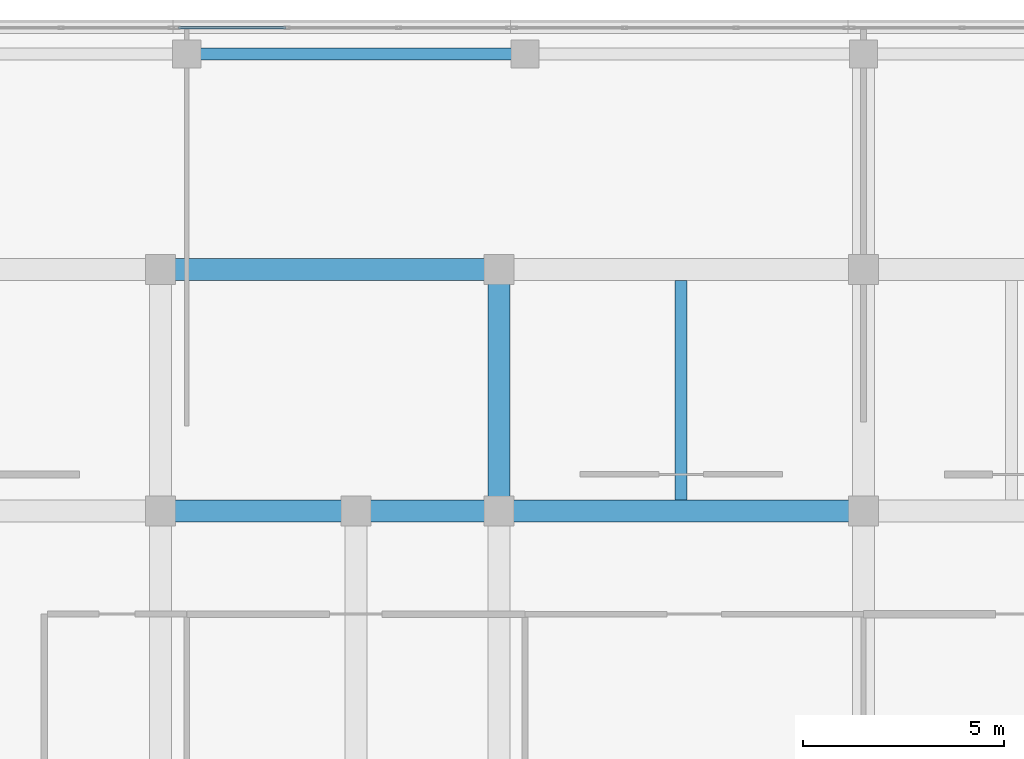
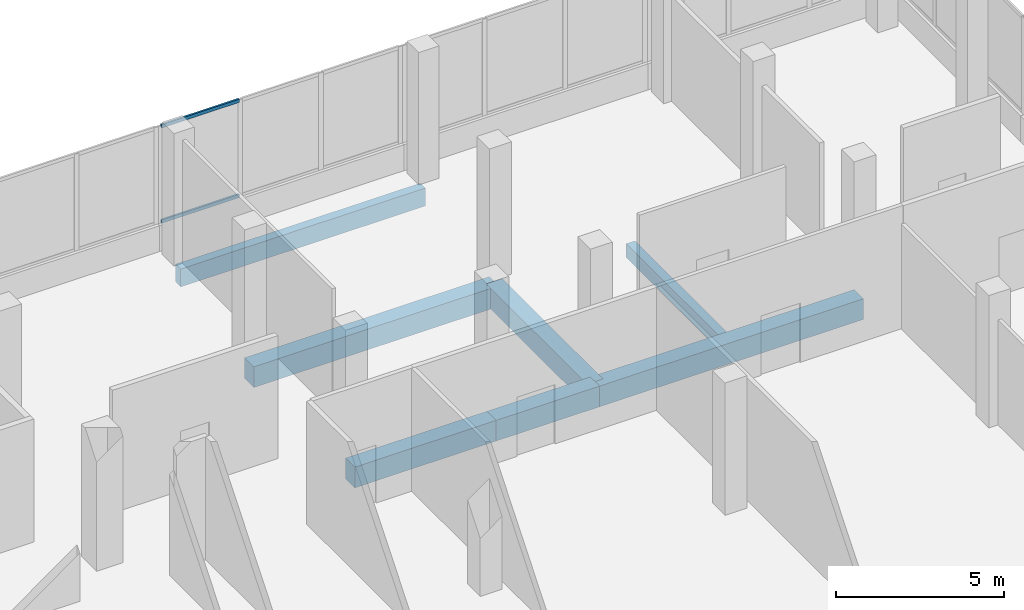
# One storey, part 110 of 155: 7 beams, 2 members, 1 element without a shape of its own.
"""IFC4 building model written with IfcOpenShell, lengths in metres."""

from ifc_helpers import new_model, si_unit, direction, frame, origin, origin_2d, place, context, subcontext, project, spatial, rectangle, hollow_rectangle, extrude, material, material_profile, profile_set, type_object, element, aggregate, save


model = new_model("IFC4")

# Units and contexts
model_context = context("Model", 3, precision=1e-05, world=origin(), true_north=direction((0.0, 1.0)))
body_context = subcontext(model_context, "Body", "Model", "MODEL_VIEW")
ifc_project = project(units=[si_unit("LENGTHUNIT", "METRE"), si_unit("AREAUNIT", "SQUARE_METRE"), si_unit("VOLUMEUNIT", "CUBIC_METRE"), si_unit("PLANEANGLEUNIT", "RADIAN"), si_unit("MASSUNIT", "GRAM", prefix="KILO")], contexts=[model_context])

# Site, building, storey
site_placement = place(None, origin())
site = spatial("IfcSite", under=ifc_project, at=site_placement, CompositionType="ELEMENT")
building_placement = place(site_placement, origin())
building = spatial("IfcBuilding", under=site, at=building_placement, Name="Selatvlak General Hospital", CompositionType="ELEMENT")
storey_placement = place(building_placement, frame((0.0, 0.0, 10.199951171875)))
storey = spatial("IfcBuildingStorey", under=building, at=storey_placement, Name="L02", CompositionType="ELEMENT", Elevation=10.199951171875)

# Beams
ifc_material_1 = material(Name="Concrete C40/50", Category="concrete")
ifc_material_profile_1 = material_profile(ifc_material_1, rectangle(XDim=0.550048828125, YDim=0.75, at=origin_2d()), Name="RC-BM 550x750")
ifc_profile_set_1 = profile_set([ifc_material_profile_1], Name="Concrete C40/50")
beam_type_1 = type_object("IfcBeamType", Name="BM-G02", PredefinedType="BEAM", material=ifc_profile_set_1)
beam_1_placement = place(storey_placement, frame((156.550048828125, 108.0, -0.72998046875), z_axis=(1.0, 0.0, 0.0), x_axis=(0.0, 1.0, 0.0)))
element("IfcBeam", 1, at=beam_1_placement, inside=storey, type_object=beam_type_1, Name="Beam BMR-L02-0891", PredefinedType="BEAM", context=body_context, shape_type="SweptSolid", body=[
    extrude(rectangle(XDim=0.550048828125, YDim=0.75, at=origin_2d()), origin(), (0.0, 0.0, 1.0), 4.849853515625),
])
beam_2_placement = place(storey_placement, frame((161.39990234375, 108.0, -0.72998046875), z_axis=(1.0, 0.0, 0.0), x_axis=(0.0, 1.0, 0.0)))
element("IfcBeam", 2, at=beam_2_placement, inside=storey, type_object=beam_type_1, Name="Beam BMR-L02-0892", PredefinedType="BEAM", context=body_context, shape_type="SweptSolid", body=[
    extrude(rectangle(XDim=0.550048828125, YDim=0.75, at=origin_2d()), origin(), (0.0, 0.0, 1.0), 3.550048828125),
])
beam_3_placement = place(storey_placement, frame((164.949951171875, 108.0, -0.72998046875), z_axis=(1.0, 0.0, 0.0), x_axis=(0.0, 1.0, 0.0)))
element("IfcBeam", 3, at=beam_3_placement, inside=storey, type_object=beam_type_1, Name="Beam BMR-L02-0893", PredefinedType="BEAM", context=body_context, shape_type="SweptSolid", body=[
    extrude(rectangle(XDim=0.550048828125, YDim=0.75, at=origin_2d()), origin(), (0.0, 0.0, 1.0), 9.050048828125),
])
beam_4_placement = place(storey_placement, frame((156.550048828125, 114.0, -0.72998046875), z_axis=(1.0, 0.0, 0.0), x_axis=(0.0, 1.0, 0.0)))
element("IfcBeam", 4, at=beam_4_placement, inside=storey, type_object=beam_type_1, Name="Beam BMR-L02-0905", PredefinedType="BEAM", context=body_context, shape_type="SweptSolid", body=[
    extrude(rectangle(XDim=0.550048828125, YDim=0.75, at=origin_2d()), origin(), (0.0, 0.0, 1.0), 8.39990234375),
])
beam_5_placement = place(storey_placement, frame((164.949951171875, 108.0, -0.72998046875), z_axis=(0.0, 1.0, 0.0), x_axis=(-1.0, 0.0, 0.0)))
element("IfcBeam", 5, at=beam_5_placement, inside=storey, type_object=beam_type_1, Name="Beam BMR-L02-1060", PredefinedType="BEAM", context=body_context, shape_type="SweptSolid", body=[
    extrude(rectangle(XDim=0.550048828125, YDim=0.75, at=origin_2d()), origin(), (0.0, 0.0, 1.0), 6.0),
])
ifc_material_profile_2 = material_profile(ifc_material_1, rectangle(XDim=0.300048828125, YDim=0.5, at=origin_2d()), Name="RC-BM 300x500")
ifc_profile_set_2 = profile_set([ifc_material_profile_2], Name="Concrete C40/50")
beam_type_2 = type_object("IfcBeamType", Name="BM-J02", PredefinedType="JOIST", material=ifc_profile_set_2)
beam_6_placement = place(storey_placement, frame((169.47509765625, 108.27490234375, -0.60498046875), z_axis=(0.0, 1.0, 0.0), x_axis=(-1.0, 0.0, 0.0)))
element("IfcBeam", 6, at=beam_6_placement, inside=storey, type_object=beam_type_2, Name="Beam BMR-L02-1092", PredefinedType="JOIST", context=body_context, shape_type="SweptSolid", body=[
    extrude(rectangle(XDim=0.300048828125, YDim=0.5, at=origin_2d()), origin(), (0.0, 0.0, 1.0), 5.4501953125),
])
ifc_material_profile_3 = material_profile(ifc_material_1, rectangle(XDim=0.300048828125, YDim=0.64990234375, at=origin_2d()), Name="RC-SP 300x650")
ifc_profile_set_3 = profile_set([ifc_material_profile_3], Name="Concrete C40/50")
beam_type_3 = type_object("IfcBeamType", Name="BM-SP1", PredefinedType="SPANDREL", material=ifc_profile_set_3)
beam_7_placement = place(storey_placement, frame((157.199951171875, 119.35009765625, -0.679931640625), z_axis=(1.0, 0.0, 0.0), x_axis=(0.0, 1.0, 0.0)))
element("IfcBeam", 7, at=beam_7_placement, inside=storey, type_object=beam_type_3, Name="Beam BMR-L02-0921", PredefinedType="SPANDREL", context=body_context, shape_type="SweptSolid", body=[
    extrude(rectangle(XDim=0.300048828125, YDim=0.64990234375, at=origin_2d()), origin(), (0.0, 0.0, 1.0), 8.400146484375),
])

# Curtain wall, members
ifc_material_2 = material(Name="Solar-control Low-E double glazing", Category="glass")
curtain_wall_type = type_object("IfcCurtainWallType", Name="CW-CW-01", PredefinedType="USERDEFINED", material=ifc_material_2)
curtain_wall_placement = place(storey_placement, origin())
curtain_wall = element("IfcCurtainWall", 8, at=curtain_wall_placement, inside=storey, type_object=curtain_wall_type, Name="Glazed facade curtain wall CW-L02-0260", ObjectType="UNITISED CURTAIN WALL", PredefinedType="USERDEFINED")
ifc_material_3 = material(Name="Dark anodised aluminium mullion", Category="aluminium")
ifc_material_profile_4 = material_profile(ifc_material_3, hollow_rectangle(XDim=0.06494140625, YDim=0.1201171875, WallThickness=0.00390625, at=origin_2d()), Name="AL-TRN 65x120x4")
ifc_profile_set_4 = profile_set([ifc_material_profile_4], Name="Dark anodised aluminium mullion")
member_type = type_object("IfcMemberType", Name="CWT-01", PredefinedType="USERDEFINED", material=ifc_profile_set_4)
member_1_placement = place(storey_placement, frame((156.989013671875, 120.0, 0.97265625), z_axis=(1.0, 0.0, 0.0), x_axis=(0.0, 1.0, 0.0)))
member_1 = element("IfcMember", 9, at=member_1_placement, type_object=member_type, Name="CW-01 transom 1.1", ObjectType="TRANSOM", PredefinedType="USERDEFINED", context=body_context, shape_type="SweptSolid", body=[
    extrude(hollow_rectangle(XDim=0.06494140625, YDim=0.1201171875, WallThickness=0.00390625, at=origin_2d()), origin(), (0.0, 0.0, 1.0), 2.669189453125),
])
member_2_placement = place(storey_placement, frame((156.989013671875, 120.0, 4.427490234375), z_axis=(1.0, 0.0, 0.0), x_axis=(0.0, 1.0, 0.0)))
member_2 = element("IfcMember", 10, at=member_2_placement, type_object=member_type, Name="CW-01 transom 1.2", ObjectType="TRANSOM", PredefinedType="USERDEFINED", context=body_context, shape_type="SweptSolid", body=[
    extrude(hollow_rectangle(XDim=0.06494140625, YDim=0.1201171875, WallThickness=0.00390625, at=origin_2d()), origin(), (0.0, 0.0, 1.0), 2.669189453125),
])
aggregate(curtain_wall, [member_1, member_2])

save(model, "model.ifc")
